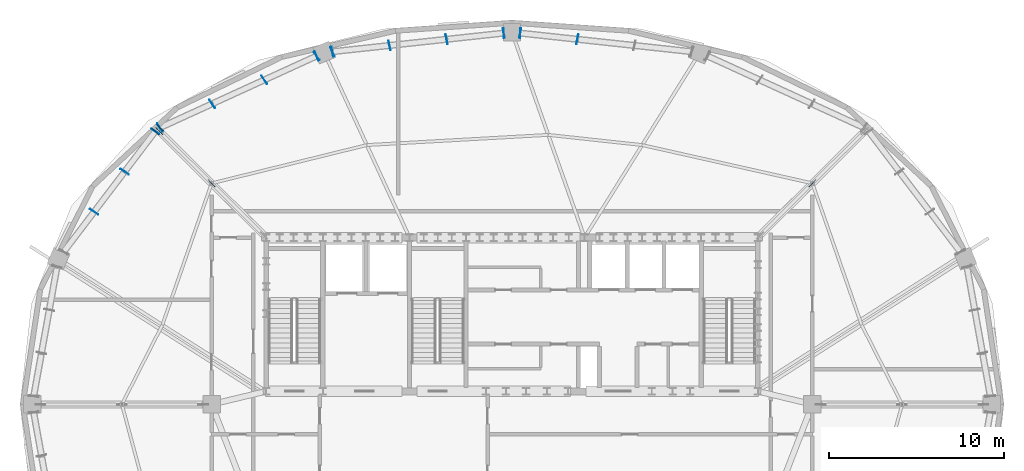
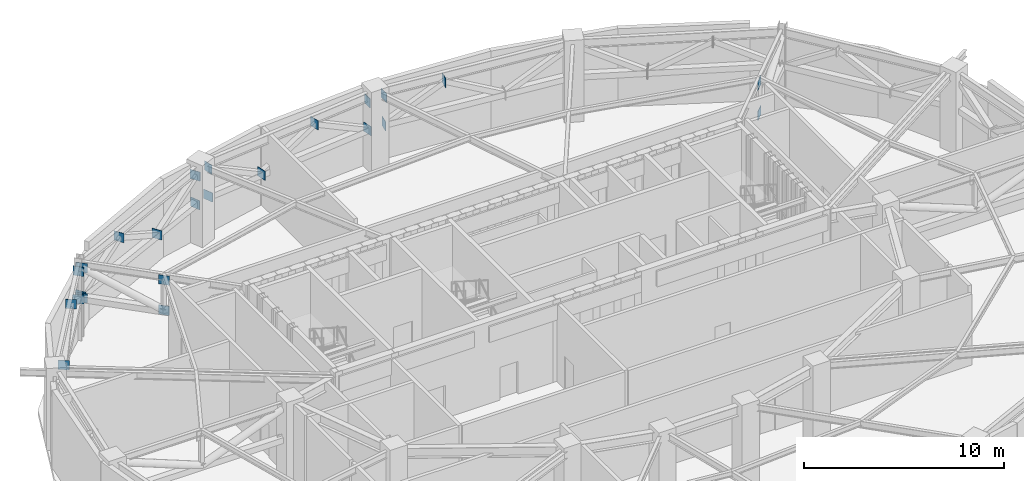
# One storey, part 12 of 20: 25 plates.
"""IFC4 building model written with IfcOpenShell, lengths in metres."""

from ifc_helpers import new_model, si_unit, direction, frame, origin, origin_2d, place, context, subcontext, project, spatial, rectangle, extrude, material, layer, layer_set, type_object, element, save


model = new_model("IFC4")

# Units and contexts
model_context = context("Model", 3, precision=1e-05, world=origin(), true_north=direction((0.0, 1.0)))
body_context = subcontext(model_context, "Body", "Model", "MODEL_VIEW")
ifc_project = project(units=[si_unit("LENGTHUNIT", "METRE"), si_unit("AREAUNIT", "SQUARE_METRE"), si_unit("VOLUMEUNIT", "CUBIC_METRE"), si_unit("PLANEANGLEUNIT", "RADIAN"), si_unit("MASSUNIT", "GRAM", prefix="KILO")], contexts=[model_context])

# Site, building, storey
site_placement = place(None, origin())
site = spatial("IfcSite", under=ifc_project, at=site_placement, CompositionType="ELEMENT")
building_placement = place(site_placement, origin())
building = spatial("IfcBuilding", under=site, at=building_placement, Name="Haldorwick Loom Tower", CompositionType="ELEMENT")
storey_placement = place(building_placement, frame((0.0, 0.0, 222.10009765625)))
storey = spatial("IfcBuildingStorey", under=building, at=storey_placement, Name="L60", CompositionType="ELEMENT", Elevation=222.10009765625)

# Plates
ifc_material = material(Name="Steel CSA G40.21 350W", Category="steel")
ifc_layer = layer(ifc_material, 0.028076171875, Name="Steel CSA G40.21 350W", Category="steel")
ifc_layer_set = layer_set([ifc_layer], Name="Steel CSA G40.21 350W")
plate_type = type_object("IfcPlateType", Name="STR-PLT-GUS28", PredefinedType="SHEET", material=ifc_layer_set)
for number, where, z_axis, x_axis, name in (
    (1, (39.741943359375, 46.89990234375, 3.935791015625), (0.0, 0.0, 1.0), (0.195090322016, 0.980785280403, 0.0), "L60 Truss Node Gusset Plate PLT-L60-BGUS-03-1B"),
    (2, (36.47216796875, 47.25390625, 2.219970703125), (0.0, 0.0, 1.0), (0.195090322016, 0.980785280403, 0.0), "L60 Truss Node Gusset Plate PLT-L60-BGUS-03-2B"),
    (3, (36.47216796875, 47.25390625, 3.935791015625), (0.0, 0.0, 1.0), (0.0, 1.0, 0.0), "L60 Truss Node Gusset Plate PLT-L60-BGUS-03D"),
    (4, (35.52783203125, 47.25390625, 2.219970703125), (0.0, 0.0, 1.0), (-0.195090322016, 0.980785280403, 0.0), "L60 Truss Node Gusset Plate PLT-L60-BGUS-04-0A"),
    (5, (32.258056640625, 46.89990234375, 3.935791015625), (0.0, 0.0, 1.0), (-0.195090322016, 0.980785280403, 0.0), "L60 Truss Node Gusset Plate PLT-L60-BGUS-04-0B"),
    (6, (28.988525390625, 46.5458984375, 2.219970703125), (0.0, 0.0, 1.0), (-0.195090322016, 0.980785280403, 0.0), "L60 Truss Node Gusset Plate PLT-L60-BGUS-04-1B"),
    (7, (25.71875, 46.191650390625, 3.935791015625), (0.0, 0.0, 1.0), (-0.195090322016, 0.980785280403, 0.0), "L60 Truss Node Gusset Plate PLT-L60-BGUS-04-2B"),
    (8, (35.52783203125, 47.25390625, 3.935791015625), (0.0, 0.0, 1.0), (0.0, 1.0, 0.0), "L60 Truss Node Gusset Plate PLT-L60-BGUS-04B"),
    (9, (25.71875, 46.191650390625, 2.219970703125), (0.0, 0.0, 1.0), (-0.382683432365, 0.923879532511, 0.0), "L60 Truss Node Gusset Plate PLT-L60-BGUS-04C"),
    (10, (24.814697265625, 45.943115234375, 3.935791015625), (0.0, 0.0, 1.0), (-0.55557023302, 0.831469612303, 0.0), "L60 Truss Node Gusset Plate PLT-L60-BGUS-05-0A"),
    (11, (21.824462890625, 44.574951171875, 2.219970703125), (0.0, 0.0, 1.0), (-0.55557023302, 0.831469612303, 0.0), "L60 Truss Node Gusset Plate PLT-L60-BGUS-05-0B"),
    (12, (18.83447265625, 43.20703125, 3.935791015625), (0.0, 0.0, 1.0), (-0.55557023302, 0.831469612303, 0.0), "L60 Truss Node Gusset Plate PLT-L60-BGUS-05-1B"),
    (13, (15.84423828125, 41.839111328125, 2.219970703125), (0.0, 0.0, 1.0), (-0.55557023302, 0.831469612303, 0.0), "L60 Truss Node Gusset Plate PLT-L60-BGUS-05-2B"),
    (14, (24.814697265625, 45.943115234375, 2.219970703125), (0.0, 0.0, 1.0), (-0.382683432365, 0.923879532511, 0.0), "L60 Truss Node Gusset Plate PLT-L60-BGUS-05A"),
    (15, (15.84423828125, 41.839111328125, 3.935791015625), (0.0, 0.0, 1.0), (-0.707106781187, 0.707106781187, 0.0), "L60 Truss Node Gusset Plate PLT-L60-BGUS-05D"),
    (16, (15.57470703125, 41.623291015625, 2.219970703125), (0.0, 0.0, 1.0), (-0.831469612303, 0.55557023302, 0.0), "L60 Truss Node Gusset Plate PLT-L60-BGUS-06-0A"),
    (17, (13.8251953125, 39.322265625, 3.935791015625), (0.0, 0.0, 1.0), (-0.831469612303, 0.55557023302, 0.0), "L60 Truss Node Gusset Plate PLT-L60-BGUS-06-0B"),
    (18, (12.075927734375, 37.021484375, 2.219970703125), (0.0, 0.0, 1.0), (-0.831469612303, 0.55557023302, 0.0), "L60 Truss Node Gusset Plate PLT-L60-BGUS-06-1B"),
    (19, (15.57470703125, 41.623291015625, 3.935791015625), (0.0, 0.0, 1.0), (-0.707106781187, 0.707106781187, 0.0), "L60 Truss Node Gusset Plate PLT-L60-BGUS-06B"),
    (20, (53.19384765625, 38.657470703125, 2.219970703125), (0.0, 0.0, 1.0), (0.707106781187, 0.707106781187, 0.0), "L60 Truss Node Gusset Plate PLT-L60-OT-NE-MB0"),
    (21, (53.19384765625, 38.657470703125, 4.06689453125), (0.0, 0.0, 1.0), (0.707106781187, 0.707106781187, 0.0), "L60 Truss Node Gusset Plate PLT-L60-OT-NE-MT0"),
    (22, (18.80615234375, 38.657470703125, 2.219970703125), (0.0, 0.0, 1.0), (-0.707106781187, 0.707106781187, 0.0), "L60 Truss Node Gusset Plate PLT-L60-OT-NW-MB0"),
    (23, (18.80615234375, 38.657470703125, 4.06689453125), (0.0, 0.0, 1.0), (-0.707106781187, 0.707106781187, 0.0), "L60 Truss Node Gusset Plate PLT-L60-OT-NW-MT0"),
    (24, (15.80859375, 41.639404296875, 2.219970703125), (0.0, 0.0, 1.0), (-0.707106781187, 0.707106781187, 0.0), "L60 Truss Node Gusset Plate PLT-L60-OT-NW-PB0"),
    (25, (15.80859375, 41.639404296875, 4.06689453125), (0.0, 0.0, 1.0), (-0.707106781187, 0.707106781187, 0.0), "L60 Truss Node Gusset Plate PLT-L60-OT-NW-PT0"),
):
    element("IfcPlate", number, at=place(storey_placement, frame(where, z_axis=z_axis, x_axis=x_axis)), inside=storey, type_object=plate_type, Name=name, PredefinedType="SHEET", context=body_context, shape_type="SweptSolid", body=[
        extrude(rectangle(XDim=0.56005859375, YDim=0.028076171875, at=origin_2d()), origin(), (0.0, 0.0, 1.0), 0.56005859375),
    ])

save(model, "model.ifc")
